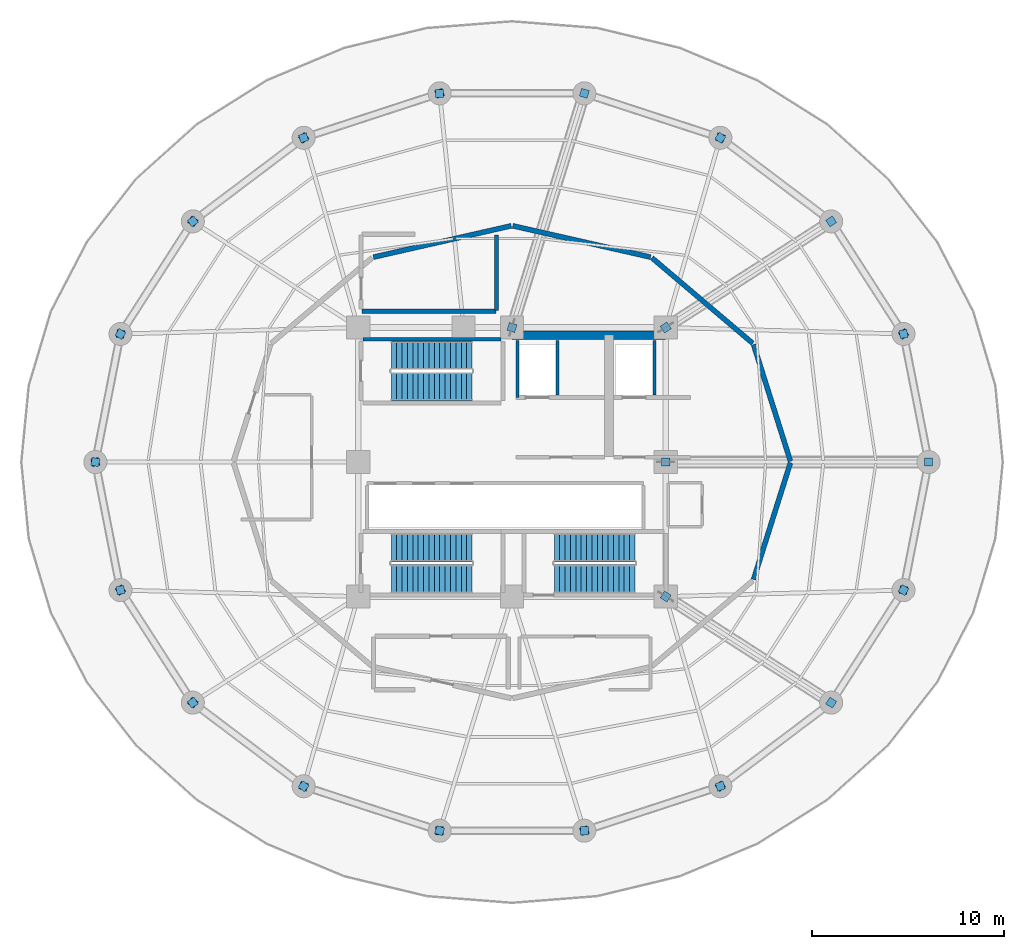
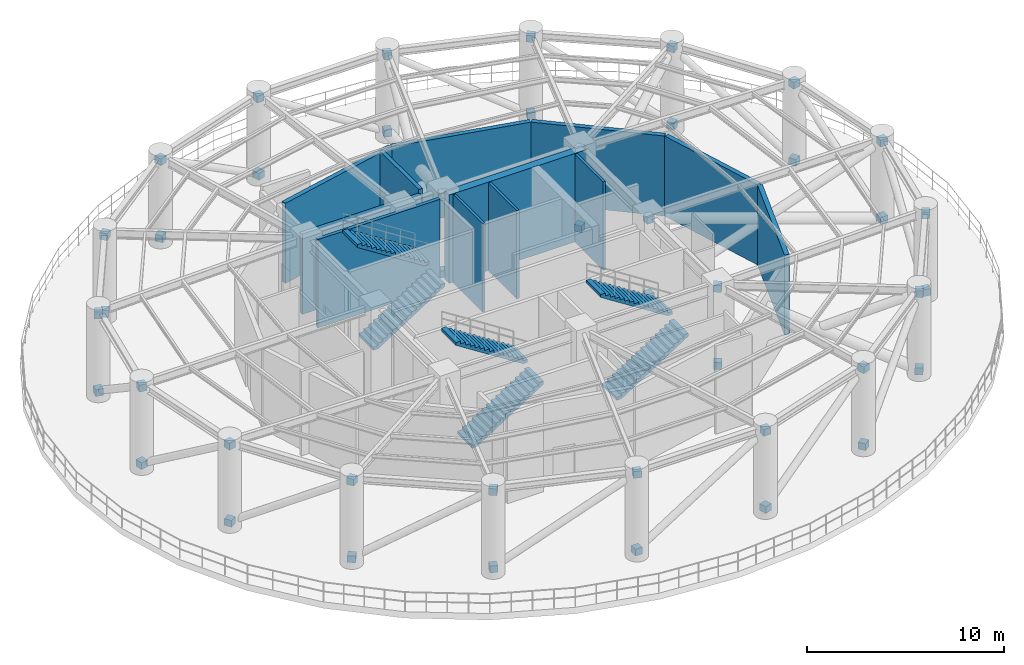
# One storey, part 5 of 7: 44 discrete accessories, 12 walls, 6 stair flights, 3 elements without a shape of their own.
"""IFC4 building model written with IfcOpenShell, lengths in metres."""

from ifc_helpers import new_model, si_unit, direction, frame, frame_2d, origin, origin_2d, place, context, subcontext, project, spatial, polyline, rectangle, outline, extrude, source, transform, mapped, material, layer, layer_set, type_object, element, aggregate, save


model = new_model("IFC4")

# Units and contexts
model_context = context("Model", 3, precision=1e-05, world=origin(), true_north=direction((0.0, 1.0)))
body_context = subcontext(model_context, "Body", "Model", "MODEL_VIEW")
ifc_project = project(units=[si_unit("LENGTHUNIT", "METRE"), si_unit("AREAUNIT", "SQUARE_METRE"), si_unit("VOLUMEUNIT", "CUBIC_METRE"), si_unit("PLANEANGLEUNIT", "RADIAN"), si_unit("MASSUNIT", "GRAM", prefix="KILO")], contexts=[model_context])

# Site, building, storey
site_placement = place(None, origin())
site = spatial("IfcSite", under=ifc_project, at=site_placement, CompositionType="ELEMENT")
building_placement = place(site_placement, origin())
building = spatial("IfcBuilding", under=site, at=building_placement, Name="Kelanora Arch Commons", CompositionType="ELEMENT")
storey_placement = place(building_placement, frame((0.0, 0.0, 129.860107421875)))
storey = spatial("IfcBuildingStorey", under=building, at=storey_placement, Name="L33", CompositionType="ELEMENT", Elevation=129.860107421875)

# Walls
ifc_material_1 = material(Name="Autoclaved aerated concrete blockwork with fire plaster", Category="masonry")
ifc_layer_1 = layer(ifc_material_1, 0.14990234375)
ifc_layer_set_1 = layer_set([ifc_layer_1], Name="Autoclaved aerated concrete blockwork with fire plaster")
wall_type_1 = type_object("IfcWallType", Name="W-COMP-150", PredefinedType="PARTITIONING", material=ifc_layer_set_1)
wall_1_placement = place(storey_placement, frame((74.280029296875, 61.35009765625, 0.0), z_axis=(0.0, 0.0, 1.0), x_axis=(0.0, 1.0, 0.0)))
element("IfcWall", 1, at=wall_1_placement, inside=storey, type_object=wall_type_1, Name="Firefighting Lift 1 West Shaft Wall L33", PredefinedType="PARTITIONING", context=body_context, shape_type="SweptSolid", body=[
    extrude(rectangle(XDim=2.969970703125, YDim=0.14990234375, at=frame_2d((1.48486328125, 0.0))), origin(), (0.0, 0.0, 1.0), 5.469970703125),
])
for number, where, z_axis, x_axis, name in (
    (2, (76.360107421875, 61.47998046875, 0.0), (0.0, 0.0, 1.0), (0.0, 1.0, 0.0), "Firefighting Lift 1 East Shaft Wall L33"),
    (3, (81.419921875, 61.47998046875, 0.0), (0.0, 0.0, 1.0), (0.0, 1.0, 0.0), "Firefighting Lift 2 East Shaft Wall L33"),
):
    element("IfcWall", number, at=place(storey_placement, frame(where, z_axis=z_axis, x_axis=x_axis)), inside=storey, type_object=wall_type_1, Name=name, PredefinedType="PARTITIONING", context=body_context, shape_type="SweptSolid", body=[
        extrude(rectangle(XDim=2.840087890625, YDim=0.14990234375, at=frame_2d((1.419921875, 0.0))), origin(), (0.0, 0.0, 1.0), 5.469970703125),
    ])
ifc_material_2 = material(Name="Concrete C60/75", Category="concrete")
ifc_layer_2 = layer(ifc_material_2, 0.449951171875)
ifc_layer_set_2 = layer_set([ifc_layer_2], Name="Concrete C60/75")
wall_type_2 = type_object("IfcWallType", Name="W-CORE-450", PredefinedType="SHEAR", material=ifc_layer_set_2)
wall_2_placement = place(storey_placement, frame((74.0, 64.60009765625, 0.0), z_axis=(0.0, 0.0, 1.0), x_axis=(1.0, 0.0, 0.0)))
element("IfcWall", 4, at=wall_2_placement, inside=storey, type_object=wall_type_2, Name="Core Shear Spine L33-CN-E", PredefinedType="SHEAR", context=body_context, shape_type="SweptSolid", body=[
    extrude(rectangle(XDim=8.0, YDim=0.449951171875, at=frame_2d((4.0, 0.0))), origin(), (0.0, 0.0, 1.0), 5.47998046875),
])
ifc_material_3 = material(Name="Precast concrete C40/50 with terracotta rainscreen", Category="masonry")
ifc_layer_3 = layer(ifc_material_3, 0.260009765625)
ifc_layer_set_3 = layer_set([ifc_layer_3], Name="Precast concrete C40/50 with terracotta rainscreen")
wall_type_3 = type_object("IfcWallType", Name="W-EXT-TC", PredefinedType="SOLIDWALL", material=ifc_layer_set_3)
wall_3_placement = place(storey_placement, frame((88.488037109375, 58.0380859375, 0.0), z_axis=(0.0, 0.0, 1.0), x_axis=(-0.301228589113, 0.95355195826, 0.0)))
element("IfcWall", 5, at=wall_3_placement, inside=storey, type_object=wall_type_3, Name="Wind-Floor Plant/Refuge Enclosure Wall L33-01", PredefinedType="SOLIDWALL", context=body_context, shape_type="SweptSolid", body=[
    extrude(rectangle(XDim=6.36962890625, YDim=0.260009765625, at=frame_2d((3.184814453125, 0.0))), origin(), (0.0, 0.0, 1.0), 4.9599609375),
])
wall_4_placement = place(storey_placement, frame((86.52685546875, 64.17578125, 0.0), z_axis=(0.0, 0.0, 1.0), x_axis=(-0.762580748943, 0.646893037018, 0.0)))
element("IfcWall", 6, at=wall_4_placement, inside=storey, type_object=wall_type_3, Name="Wind-Floor Plant/Refuge Enclosure Wall L33-02", PredefinedType="SOLIDWALL", context=body_context, shape_type="SweptSolid", body=[
    extrude(rectangle(XDim=6.879638671875, YDim=0.260009765625, at=frame_2d((3.43994140625, 0.0))), origin(), (0.0, 0.0, 1.0), 4.9599609375),
])
for number, where, z_axis, x_axis, name in (
    (7, (81.2109375, 68.660888671875, 0.0), (0.0, 0.0, 1.0), (-0.975128290494, 0.221641189938, 0.0), "Wind-Floor Plant/Refuge Enclosure Wall L33-03"),
    (8, (73.9609375, 70.291015625, 0.0), (0.0, 0.0, 1.0), (-0.975128290494, -0.221641189938, 0.0), "Wind-Floor Plant/Refuge Enclosure Wall L33-04"),
):
    element("IfcWall", number, at=place(storey_placement, frame(where, z_axis=z_axis, x_axis=x_axis)), inside=storey, type_object=wall_type_3, Name=name, PredefinedType="SOLIDWALL", context=body_context, shape_type="SweptSolid", body=[
        extrude(rectangle(XDim=7.354736328125, YDim=0.260009765625, at=frame_2d((3.67724609375, 0.0))), origin(), (0.0, 0.0, 1.0), 4.9599609375),
    ])
wall_5_placement = place(storey_placement, frame((86.5693359375, 51.88818359375, 0.0), z_axis=(0.0, 0.0, 1.0), x_axis=(0.301228589113, 0.95355195826, 0.0)))
element("IfcWall", 9, at=wall_5_placement, inside=storey, type_object=wall_type_3, Name="Wind-Floor Plant/Refuge Enclosure Wall L33-12", PredefinedType="SOLIDWALL", context=body_context, shape_type="SweptSolid", body=[
    extrude(rectangle(XDim=6.36962890625, YDim=0.260009765625, at=frame_2d((3.184814453125, 0.0))), origin(), (0.0, 0.0, 1.0), 4.9599609375),
])
ifc_material_4 = material(Name="Concrete C40/50", Category="concrete")
ifc_layer_4 = layer(ifc_material_4, 0.219970703125)
ifc_layer_set_4 = layer_set([ifc_layer_4], Name="Concrete C40/50")
wall_type_4 = type_object("IfcWallType", Name="W-REF-200", PredefinedType="SOLIDWALL", material=ifc_layer_set_4)
wall_6_placement = place(storey_placement, frame((66.18994140625, 65.85009765625, 0.0), z_axis=(0.0, 0.0, 1.0), x_axis=(1.0, 0.0, 0.0)))
element("IfcWall", 10, at=wall_6_placement, inside=storey, type_object=wall_type_4, Name="Protected Fire Refuge Holding Area L33-North Enclosure Partition 1", PredefinedType="SOLIDWALL", context=body_context, shape_type="SweptSolid", body=[
    extrude(rectangle(XDim=6.969970703125, YDim=0.219970703125, at=frame_2d((3.48486328125, 0.0))), origin(), (0.0, 0.0, 1.0), 4.96484375),
])
wall_7_placement = place(storey_placement, frame((73.199951171875, 65.889892578125, 0.0), z_axis=(0.0, 0.0, 1.0), x_axis=(0.0, 1.0, 0.0)))
element("IfcWall", 11, at=wall_7_placement, inside=storey, type_object=wall_type_4, Name="Protected Fire Refuge Holding Area L33-North Enclosure Partition 2", PredefinedType="SOLIDWALL", context=body_context, shape_type="SweptSolid", body=[
    extrude(rectangle(XDim=3.920166015625, YDim=0.219970703125, at=frame_2d((1.9599609375, 0.0))), origin(), (0.0, 0.0, 1.0), 5.224853515625),
])
ifc_layer_5 = layer(ifc_material_4, 0.199951171875)
ifc_layer_set_5 = layer_set([ifc_layer_5], Name="Concrete C40/50")
wall_type_5 = type_object("IfcWallType", Name="W-STAIR-200", PredefinedType="SHEAR", material=ifc_layer_set_5)
wall_8_placement = place(storey_placement, frame((73.419921875, 64.389892578125, 0.0), z_axis=(0.0, 0.0, 1.0), x_axis=(-1.0, 0.0, 0.0)))
element("IfcWall", 12, at=wall_8_placement, inside=storey, type_object=wall_type_5, Name="Stair ST-T1 Shaft Wall N L33", PredefinedType="SHEAR", context=body_context, shape_type="SweptSolid", body=[
    extrude(rectangle(XDim=7.159912109375, YDim=0.199951171875, at=frame_2d((3.580078125, 0.0))), origin(), (0.0, 0.0, 1.0), 5.47998046875),
])

# Stair, stair flights
stair_type = type_object("IfcStairType", Name="STR-DL-574", PredefinedType="HALF_TURN_STAIR", material=ifc_material_4)
stair_1_placement = place(storey_placement, origin())
stair_1 = element("IfcStair", 13, at=stair_1_placement, inside=storey, type_object=stair_type, Name="L33 ST-T1", PredefinedType="HALF_TURN_STAIR")
stair_flight_type = type_object("IfcStairFlightType", Name="FLT-DL-574", PredefinedType="STRAIGHT", material=ifc_material_4)
stair_flight_1_placement = place(storey_placement, frame((67.719970703125, 61.919921875, 0.0), z_axis=(0.0, 0.0, 1.0), x_axis=(1.0, 0.0, 0.0)))
stair_flight_1 = element("IfcStairFlight", 14, at=stair_flight_1_placement, type_object=stair_flight_type, Name="ST-T1 flight 1", NumberOfRisers=16, NumberOfTreads=15, PredefinedType="STRAIGHT", RiserHeight=0.179375, TreadLength=0.28, context=body_context, shape_type="SweptSolid", body=[
    extrude(outline(polyline([(0.0, 0.0), (0.0, 0.179443359375), (0.280029296875, 0.179443359375), (0.280029296875, 0.358642578125), (0.56005859375, 0.358642578125), (0.56005859375, 0.5380859375), (0.840087890625, 0.5380859375), (0.840087890625, 0.717529296875), (1.1201171875, 0.717529296875), (1.1201171875, 0.89697265625), (1.39990234375, 0.89697265625), (1.39990234375, 1.076171875), (1.679931640625, 1.076171875), (1.679931640625, 1.255615234375), (1.9599609375, 1.255615234375), (1.9599609375, 1.43505859375), (2.239990234375, 1.43505859375), (2.239990234375, 1.6142578125), (2.52001953125, 1.6142578125), (2.52001953125, 1.793701171875), (2.800048828125, 1.793701171875), (2.800048828125, 1.97314453125), (3.080078125, 1.97314453125), (3.080078125, 2.152587890625), (3.360107421875, 2.152587890625), (3.360107421875, 2.331787109375), (3.639892578125, 2.331787109375), (3.639892578125, 2.51123046875), (3.919921875, 2.51123046875), (3.919921875, 2.690673828125), (4.199951171875, 2.690673828125), (4.199951171875, 2.8701171875), (4.199951171875, 2.5126953125), (0.27783203125, 0.0), (0.0, 0.0)])), frame((0.0, 0.739990234375, 0.0), z_axis=(0.0, -1.0, 0.0), x_axis=(1.0, 0.0, 0.0)), (0.0, 0.0, 1.0), 1.47998046875),
])
stair_flight_2_placement = place(storey_placement, frame((71.919921875, 63.550048828125, 2.869873046875), z_axis=(0.0, 0.0, 1.0), x_axis=(-1.0, 0.0, 0.0)))
stair_flight_2 = element("IfcStairFlight", 15, at=stair_flight_2_placement, type_object=stair_flight_type, Name="ST-T1 flight 2", NumberOfRisers=16, NumberOfTreads=15, PredefinedType="STRAIGHT", RiserHeight=0.179375, TreadLength=0.28, context=body_context, shape_type="SweptSolid", body=[
    extrude(outline(polyline([(0.0, 0.0), (0.0, 0.179443359375), (0.280029296875, 0.179443359375), (0.280029296875, 0.358642578125), (0.56005859375, 0.358642578125), (0.56005859375, 0.5380859375), (0.840087890625, 0.5380859375), (0.840087890625, 0.717529296875), (1.1201171875, 0.717529296875), (1.1201171875, 0.89697265625), (1.39990234375, 0.89697265625), (1.39990234375, 1.076171875), (1.679931640625, 1.076171875), (1.679931640625, 1.255615234375), (1.9599609375, 1.255615234375), (1.9599609375, 1.43505859375), (2.239990234375, 1.43505859375), (2.239990234375, 1.6142578125), (2.52001953125, 1.6142578125), (2.52001953125, 1.793701171875), (2.800048828125, 1.793701171875), (2.800048828125, 1.97314453125), (3.080078125, 1.97314453125), (3.080078125, 2.152587890625), (3.360107421875, 2.152587890625), (3.360107421875, 2.331787109375), (3.639892578125, 2.331787109375), (3.639892578125, 2.51123046875), (3.919921875, 2.51123046875), (3.919921875, 2.690673828125), (4.199951171875, 2.690673828125), (4.199951171875, 2.8701171875), (4.199951171875, 2.5126953125), (0.27783203125, 0.0), (0.0, 0.0)])), frame((0.0, 0.739990234375, 0.0), z_axis=(0.0, -1.0, 0.0), x_axis=(1.0, 0.0, 0.0)), (0.0, 0.0, 1.0), 1.47998046875),
])
aggregate(stair_1, [stair_flight_1, stair_flight_2])

stair_2_placement = place(storey_placement, origin())
stair_2 = element("IfcStair", 16, at=stair_2_placement, inside=storey, type_object=stair_type, Name="L33 ST-T2", PredefinedType="HALF_TURN_STAIR")
stair_flight_3_placement = place(storey_placement, frame((76.199951171875, 51.919921875, 0.0), z_axis=(0.0, 0.0, 1.0), x_axis=(1.0, 0.0, 0.0)))
stair_flight_3 = element("IfcStairFlight", 17, at=stair_flight_3_placement, type_object=stair_flight_type, Name="ST-T2 flight 1", NumberOfRisers=16, NumberOfTreads=15, PredefinedType="STRAIGHT", RiserHeight=0.179375, TreadLength=0.28, context=body_context, shape_type="SweptSolid", body=[
    extrude(outline(polyline([(0.0, 0.0), (0.0, 0.179443359375), (0.280029296875, 0.179443359375), (0.280029296875, 0.358642578125), (0.56005859375, 0.358642578125), (0.56005859375, 0.5380859375), (0.840087890625, 0.5380859375), (0.840087890625, 0.717529296875), (1.1201171875, 0.717529296875), (1.1201171875, 0.89697265625), (1.39990234375, 0.89697265625), (1.39990234375, 1.076171875), (1.679931640625, 1.076171875), (1.679931640625, 1.255615234375), (1.9599609375, 1.255615234375), (1.9599609375, 1.43505859375), (2.239990234375, 1.43505859375), (2.239990234375, 1.6142578125), (2.52001953125, 1.6142578125), (2.52001953125, 1.793701171875), (2.800048828125, 1.793701171875), (2.800048828125, 1.97314453125), (3.080078125, 1.97314453125), (3.080078125, 2.152587890625), (3.360107421875, 2.152587890625), (3.360107421875, 2.331787109375), (3.639892578125, 2.331787109375), (3.639892578125, 2.51123046875), (3.919921875, 2.51123046875), (3.919921875, 2.690673828125), (4.199951171875, 2.690673828125), (4.199951171875, 2.8701171875), (4.199951171875, 2.5126953125), (0.27783203125, 0.0), (0.0, 0.0)])), frame((0.0, 0.739990234375, 0.0), z_axis=(0.0, -1.0, 0.0), x_axis=(1.0, 0.0, 0.0)), (0.0, 0.0, 1.0), 1.47998046875),
])
stair_flight_4_placement = place(storey_placement, frame((80.39990234375, 53.550048828125, 2.869873046875), z_axis=(0.0, 0.0, 1.0), x_axis=(-1.0, 0.0, 0.0)))
stair_flight_4 = element("IfcStairFlight", 18, at=stair_flight_4_placement, type_object=stair_flight_type, Name="ST-T2 flight 2", NumberOfRisers=16, NumberOfTreads=15, PredefinedType="STRAIGHT", RiserHeight=0.179375, TreadLength=0.28, context=body_context, shape_type="SweptSolid", body=[
    extrude(outline(polyline([(0.0, 0.0), (0.0, 0.179443359375), (0.280029296875, 0.179443359375), (0.280029296875, 0.358642578125), (0.56005859375, 0.358642578125), (0.56005859375, 0.5380859375), (0.840087890625, 0.5380859375), (0.840087890625, 0.717529296875), (1.1201171875, 0.717529296875), (1.1201171875, 0.89697265625), (1.39990234375, 0.89697265625), (1.39990234375, 1.076171875), (1.679931640625, 1.076171875), (1.679931640625, 1.255615234375), (1.9599609375, 1.255615234375), (1.9599609375, 1.43505859375), (2.239990234375, 1.43505859375), (2.239990234375, 1.6142578125), (2.52001953125, 1.6142578125), (2.52001953125, 1.793701171875), (2.800048828125, 1.793701171875), (2.800048828125, 1.97314453125), (3.080078125, 1.97314453125), (3.080078125, 2.152587890625), (3.360107421875, 2.152587890625), (3.360107421875, 2.331787109375), (3.639892578125, 2.331787109375), (3.639892578125, 2.51123046875), (3.919921875, 2.51123046875), (3.919921875, 2.690673828125), (4.199951171875, 2.690673828125), (4.199951171875, 2.8701171875), (4.199951171875, 2.5126953125), (0.27783203125, 0.0), (0.0, 0.0)])), frame((0.0, 0.739990234375, 0.0), z_axis=(0.0, -1.0, 0.0), x_axis=(1.0, 0.0, 0.0)), (0.0, 0.0, 1.0), 1.47998046875),
])
aggregate(stair_2, [stair_flight_3, stair_flight_4])

stair_3_placement = place(storey_placement, origin())
stair_3 = element("IfcStair", 19, at=stair_3_placement, inside=storey, type_object=stair_type, Name="L33 ST-T3", PredefinedType="HALF_TURN_STAIR")
stair_flight_5_placement = place(storey_placement, frame((67.719970703125, 51.919921875, 0.0), z_axis=(0.0, 0.0, 1.0), x_axis=(1.0, 0.0, 0.0)))
stair_flight_5 = element("IfcStairFlight", 20, at=stair_flight_5_placement, type_object=stair_flight_type, Name="ST-T3 flight 1", NumberOfRisers=16, NumberOfTreads=15, PredefinedType="STRAIGHT", RiserHeight=0.179375, TreadLength=0.28, context=body_context, shape_type="SweptSolid", body=[
    extrude(outline(polyline([(0.0, 0.0), (0.0, 0.179443359375), (0.280029296875, 0.179443359375), (0.280029296875, 0.358642578125), (0.56005859375, 0.358642578125), (0.56005859375, 0.5380859375), (0.840087890625, 0.5380859375), (0.840087890625, 0.717529296875), (1.1201171875, 0.717529296875), (1.1201171875, 0.89697265625), (1.39990234375, 0.89697265625), (1.39990234375, 1.076171875), (1.679931640625, 1.076171875), (1.679931640625, 1.255615234375), (1.9599609375, 1.255615234375), (1.9599609375, 1.43505859375), (2.239990234375, 1.43505859375), (2.239990234375, 1.6142578125), (2.52001953125, 1.6142578125), (2.52001953125, 1.793701171875), (2.800048828125, 1.793701171875), (2.800048828125, 1.97314453125), (3.080078125, 1.97314453125), (3.080078125, 2.152587890625), (3.360107421875, 2.152587890625), (3.360107421875, 2.331787109375), (3.639892578125, 2.331787109375), (3.639892578125, 2.51123046875), (3.919921875, 2.51123046875), (3.919921875, 2.690673828125), (4.199951171875, 2.690673828125), (4.199951171875, 2.8701171875), (4.199951171875, 2.5126953125), (0.27783203125, 0.0), (0.0, 0.0)])), frame((0.0, 0.739990234375, 0.0), z_axis=(0.0, -1.0, 0.0), x_axis=(1.0, 0.0, 0.0)), (0.0, 0.0, 1.0), 1.47998046875),
])
stair_flight_6_placement = place(storey_placement, frame((71.919921875, 53.550048828125, 2.869873046875), z_axis=(0.0, 0.0, 1.0), x_axis=(-1.0, 0.0, 0.0)))
stair_flight_6 = element("IfcStairFlight", 21, at=stair_flight_6_placement, type_object=stair_flight_type, Name="ST-T3 flight 2", NumberOfRisers=16, NumberOfTreads=15, PredefinedType="STRAIGHT", RiserHeight=0.179375, TreadLength=0.28, context=body_context, shape_type="SweptSolid", body=[
    extrude(outline(polyline([(0.0, 0.0), (0.0, 0.179443359375), (0.280029296875, 0.179443359375), (0.280029296875, 0.358642578125), (0.56005859375, 0.358642578125), (0.56005859375, 0.5380859375), (0.840087890625, 0.5380859375), (0.840087890625, 0.717529296875), (1.1201171875, 0.717529296875), (1.1201171875, 0.89697265625), (1.39990234375, 0.89697265625), (1.39990234375, 1.076171875), (1.679931640625, 1.076171875), (1.679931640625, 1.255615234375), (1.9599609375, 1.255615234375), (1.9599609375, 1.43505859375), (2.239990234375, 1.43505859375), (2.239990234375, 1.6142578125), (2.52001953125, 1.6142578125), (2.52001953125, 1.793701171875), (2.800048828125, 1.793701171875), (2.800048828125, 1.97314453125), (3.080078125, 1.97314453125), (3.080078125, 2.152587890625), (3.360107421875, 2.152587890625), (3.360107421875, 2.331787109375), (3.639892578125, 2.331787109375), (3.639892578125, 2.51123046875), (3.919921875, 2.51123046875), (3.919921875, 2.690673828125), (4.199951171875, 2.690673828125), (4.199951171875, 2.8701171875), (4.199951171875, 2.5126953125), (0.27783203125, 0.0), (0.0, 0.0)])), frame((0.0, 0.739990234375, 0.0), z_axis=(0.0, -1.0, 0.0), x_axis=(1.0, 0.0, 0.0)), (0.0, 0.0, 1.0), 1.47998046875),
])
aggregate(stair_3, [stair_flight_5, stair_flight_6])

# Discrete accessories
ifc_material_5 = material(Name="Steel S355", Category="steel")
discrete_accessory_type = type_object("IfcDiscreteAccessoryType", Name="ACC-BRC-CONN", PredefinedType="BRACKET", material=ifc_material_5)
shared_shape = source(origin(), body_context, "Body", "SweptSolid", [
    extrude(rectangle(XDim=0.419921875, YDim=0.419921875, at=origin_2d()), origin(), (0.0, 0.0, 1.0), 0.419921875),
])
for number, where, z_axis, x_axis, name in (
    (22, (82.0, 51.0, 0.139892578125), (0.0, 0.0, 1.0), (0.841699310121, -0.539946544894, 0.0), "Brace and Strut Gusset End Connection 0089"),
    (23, (90.60791015625, 45.478515625, 4.919921875), (0.0, 0.0, 1.0), (0.841699310121, -0.539946544894, 0.0), "Brace and Strut Gusset End Connection 0090"),
    (24, (82.0, 51.0, 4.919921875), (0.0, 0.0, 1.0), (0.841699310121, -0.539946544894, 0.0), "Brace and Strut Gusset End Connection 0091"),
    (25, (90.60791015625, 45.478515625, 0.139892578125), (0.0, 0.0, 1.0), (0.841699310121, -0.539946544894, 0.0), "Brace and Strut Gusset End Connection 0092"),
    (26, (82.0, 58.0, 0.139892578125), (0.0, 0.0, 1.0), (1.0, 0.0, 0.0), "Brace and Strut Gusset End Connection 0093"),
    (27, (95.679931640625, 58.0, 4.919921875), (0.0, 0.0, 1.0), (1.0, 0.0, 0.0), "Brace and Strut Gusset End Connection 0094"),
    (28, (82.0, 58.0, 4.919921875), (0.0, 0.0, 1.0), (1.0, 0.0, 0.0), "Brace and Strut Gusset End Connection 0095"),
    (29, (95.679931640625, 58.0, 0.139892578125), (0.0, 0.0, 1.0), (1.0, 0.0, 0.0), "Brace and Strut Gusset End Connection 0096"),
    (30, (82.0, 65.0, 0.139892578125), (0.0, 0.0, 1.0), (0.841699310121, 0.539946544894, 0.0), "Brace and Strut Gusset End Connection 0097"),
    (31, (90.60791015625, 70.521484375, 4.919921875), (0.0, 0.0, 1.0), (0.841699310121, 0.539946544894, 0.0), "Brace and Strut Gusset End Connection 0098"),
    (32, (82.0, 65.0, 4.919921875), (0.0, 0.0, 1.0), (0.841699310121, 0.539946544894, 0.0), "Brace and Strut Gusset End Connection 0099"),
    (33, (90.60791015625, 70.521484375, 0.139892578125), (0.0, 0.0, 1.0), (0.841699310121, 0.539946544894, 0.0), "Brace and Strut Gusset End Connection 0100"),
    (34, (74.0, 65.0, 0.139892578125), (0.0, 0.0, 1.0), (0.295207826951, 0.955433063541, 0.0), "Brace and Strut Gusset End Connection 0101"),
    (35, (77.7646484375, 77.18408203125, 4.919921875), (0.0, 0.0, 1.0), (0.295207826951, 0.955433063541, 0.0), "Brace and Strut Gusset End Connection 0102"),
    (36, (74.0, 65.0, 4.919921875), (0.0, 0.0, 1.0), (0.295207826951, 0.955433063541, 0.0), "Brace and Strut Gusset End Connection 0103"),
    (37, (77.7646484375, 77.18408203125, 0.139892578125), (0.0, 0.0, 1.0), (0.295207826951, 0.955433063541, 0.0), "Brace and Strut Gusset End Connection 0104"),
    (38, (94.37255859375, 64.66259765625, 4.919921875), (0.0, 0.0, 1.0), (-0.192521966526, 0.981292663992, 0.0), "Brace and Strut Gusset End Connection 0105"),
    (39, (94.37255859375, 64.66259765625, 0.139892578125), (0.0, 0.0, 1.0), (-0.540534030235, 0.841322151234, 0.0), "Brace and Strut Gusset End Connection 0106"),
    (40, (84.840087890625, 74.8701171875, 4.919921875), (0.0, 0.0, 1.0), (-0.798530461347, 0.601954402177, 0.0), "Brace and Strut Gusset End Connection 0107"),
    (41, (84.840087890625, 74.8701171875, 0.139892578125), (0.0, 0.0, 1.0), (-0.950461493885, 0.310842321189, 0.0), "Brace and Strut Gusset End Connection 0108"),
    (42, (70.2353515625, 77.18408203125, 4.919921875), (0.0, 0.0, 1.0), (-1.0, 0.0, 0.0), "Brace and Strut Gusset End Connection 0109"),
    (43, (70.2353515625, 77.18408203125, 0.139892578125), (0.0, 0.0, 1.0), (-0.950461493885, -0.310842321189, 0.0), "Brace and Strut Gusset End Connection 0110"),
    (44, (63.159912109375, 74.8701171875, 4.919921875), (0.0, 0.0, 1.0), (-0.950461493885, -0.310842321189, 0.0), "Brace and Strut Gusset End Connection 0111"),
    (45, (63.159912109375, 74.8701171875, 0.139892578125), (0.0, 0.0, 1.0), (-0.798530461347, -0.601954402177, 0.0), "Brace and Strut Gusset End Connection 0112"),
    (46, (57.39208984375, 70.521484375, 4.919921875), (0.0, 0.0, 1.0), (-0.798530461347, -0.601954402177, 0.0), "Brace and Strut Gusset End Connection 0113"),
    (47, (57.39208984375, 70.521484375, 0.139892578125), (0.0, 0.0, 1.0), (-0.540534030235, -0.841322151234, 0.0), "Brace and Strut Gusset End Connection 0114"),
    (48, (53.62744140625, 64.66259765625, 4.919921875), (0.0, 0.0, 1.0), (-0.540534030235, -0.841322151234, 0.0), "Brace and Strut Gusset End Connection 0115"),
    (49, (53.62744140625, 64.66259765625, 0.139892578125), (0.0, 0.0, 1.0), (-0.192521966526, -0.981292663992, 0.0), "Brace and Strut Gusset End Connection 0116"),
    (50, (52.320068359375, 58.0, 4.919921875), (0.0, 0.0, 1.0), (-0.192521966526, -0.981292663992, 0.0), "Brace and Strut Gusset End Connection 0117"),
    (51, (52.320068359375, 58.0, 0.139892578125), (0.0, 0.0, 1.0), (0.192521966526, -0.981292663992, 0.0), "Brace and Strut Gusset End Connection 0118"),
    (52, (53.62744140625, 51.33740234375, 4.919921875), (0.0, 0.0, 1.0), (0.192521966526, -0.981292663992, 0.0), "Brace and Strut Gusset End Connection 0119"),
    (53, (53.62744140625, 51.33740234375, 0.139892578125), (0.0, 0.0, 1.0), (0.540534030235, -0.841322151234, 0.0), "Brace and Strut Gusset End Connection 0120"),
    (54, (57.39208984375, 45.478515625, 4.919921875), (0.0, 0.0, 1.0), (0.540534030235, -0.841322151234, 0.0), "Brace and Strut Gusset End Connection 0121"),
    (55, (57.39208984375, 45.478515625, 0.139892578125), (0.0, 0.0, 1.0), (0.798530461347, -0.601954402177, 0.0), "Brace and Strut Gusset End Connection 0122"),
    (56, (63.159912109375, 41.1298828125, 4.919921875), (0.0, 0.0, 1.0), (0.798530461347, -0.601954402177, 0.0), "Brace and Strut Gusset End Connection 0123"),
    (57, (63.159912109375, 41.1298828125, 0.139892578125), (0.0, 0.0, 1.0), (0.950461493885, -0.310842321189, 0.0), "Brace and Strut Gusset End Connection 0124"),
    (58, (70.2353515625, 38.81591796875, 4.919921875), (0.0, 0.0, 1.0), (0.950461493885, -0.310842321189, 0.0), "Brace and Strut Gusset End Connection 0125"),
    (59, (70.2353515625, 38.81591796875, 0.139892578125), (0.0, 0.0, 1.0), (1.0, 0.0, 0.0), "Brace and Strut Gusset End Connection 0126"),
    (60, (77.7646484375, 38.81591796875, 4.919921875), (0.0, 0.0, 1.0), (1.0, 0.0, 0.0), "Brace and Strut Gusset End Connection 0127"),
    (61, (77.7646484375, 38.81591796875, 0.139892578125), (0.0, 0.0, 1.0), (0.950461493885, 0.310842321189, 0.0), "Brace and Strut Gusset End Connection 0128"),
    (62, (84.840087890625, 41.1298828125, 4.919921875), (0.0, 0.0, 1.0), (0.950461493885, 0.310842321189, 0.0), "Brace and Strut Gusset End Connection 0129"),
    (63, (84.840087890625, 41.1298828125, 0.139892578125), (0.0, 0.0, 1.0), (0.798530461347, 0.601954402177, 0.0), "Brace and Strut Gusset End Connection 0130"),
    (64, (94.37255859375, 51.33740234375, 4.919921875), (0.0, 0.0, 1.0), (0.540534030235, 0.841322151234, 0.0), "Brace and Strut Gusset End Connection 0131"),
    (65, (94.37255859375, 51.33740234375, 0.139892578125), (0.0, 0.0, 1.0), (0.192521966526, 0.981292663992, 0.0), "Brace and Strut Gusset End Connection 0132"),
):
    element("IfcDiscreteAccessory", number, at=place(storey_placement, frame(where, z_axis=z_axis, x_axis=x_axis)), inside=storey, type_object=discrete_accessory_type, Name=name, PredefinedType="BRACKET", context=body_context, shape_type="MappedRepresentation", body=[
        mapped(shared_shape, transform((0.0, 0.0, 0.0), scale=1.0)),
    ])

save(model, "model.ifc")
